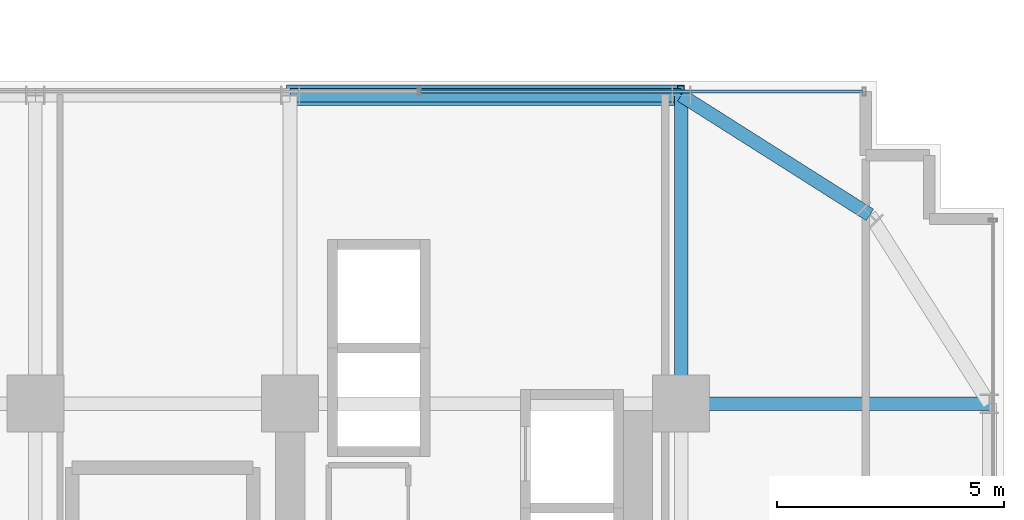
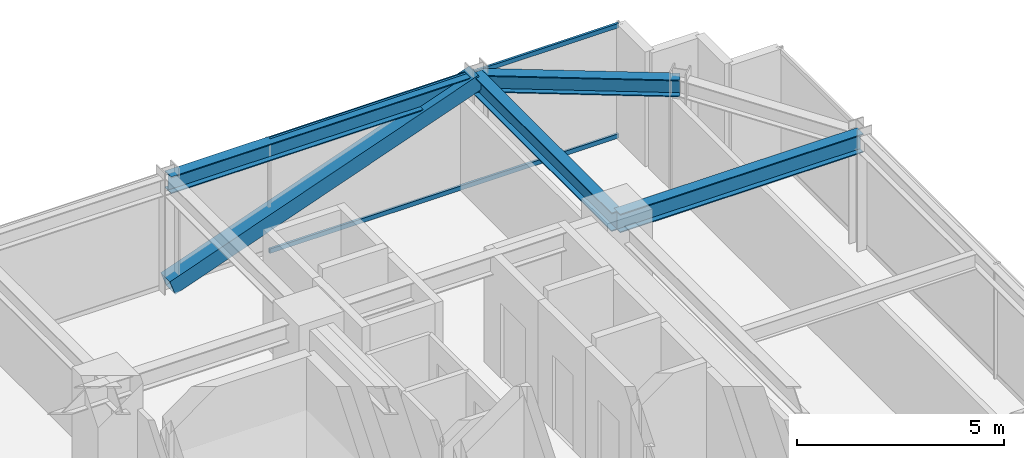
# One storey, part 24 of 35: 4 beams, 3 members, 1 element without a shape of its own.
"""IFC4 building model written with IfcOpenShell, lengths in metres."""

import ifcopenshell
import ifcopenshell.guid

model = None  # the IFC model being written
_history = None  # IfcOwnerHistory: only IFC2X3 demands one
_inside = {}  # id of a spatial element -> (the spatial element, [elements in it])
_under = {}  # id of a project, library or spatial element -> (it, [spatial elements below it])
_declared = {}  # id of a project -> (the project, [libraries it declares])
_typed = {}  # id of a type object -> (the type object, [elements of that type])
_made_of = {}  # id of a material, layer set ... -> (it, [elements and type objects made of it])


def new_model(schema):
    """Start an empty IFC model of exactly this schema.

    Asked for "IFC4X3", IfcOpenShell would pick the latest addendum, in which some entities
    have other attributes; the version numbers below select the first issue.
    IFC2X3 requires an IfcOwnerHistory on every rooted entity: one is made here for all.
    """
    global model, _history
    if schema == "IFC4X3":
        model = ifcopenshell.file(schema_version=(4, 3, 0, 0))
    else:
        model = ifcopenshell.file(schema=schema)
    _inside.clear()
    _under.clear()
    _declared.clear()
    _typed.clear()
    _made_of.clear()
    _history = None
    if model.schema == "IFC2X3":
        org = make("IfcOrganization", Name="unknown")
        user = make(
            "IfcPersonAndOrganization",
            ThePerson=make("IfcPerson", FamilyName="unknown"),
            TheOrganization=org,
        )
        app = make(
            "IfcApplication",
            ApplicationDeveloper=org,
            Version="unknown",
            ApplicationFullName="unknown",
            ApplicationIdentifier="unknown",
        )
        _history = make(
            "IfcOwnerHistory",
            OwningUser=user,
            OwningApplication=app,
            ChangeAction="ADDED",
            CreationDate=0,
        )
    return model


def make(cls, **values):
    """One entity of the class cls with the attributes given. An attribute that is None is left unset."""
    return model.create_entity(
        cls, **{name: value for name, value in values.items() if value is not None}
    )


def rooted(cls, **values):
    """An entity with a GlobalId (a new one), such as an element, a storey or a relation."""
    return make(cls, GlobalId=ifcopenshell.guid.new(), OwnerHistory=_history, **values)


def si_unit(unit_type, name, prefix=None):
    """IfcSIUnit, for example si_unit("LENGTHUNIT", "METRE", prefix="MILLI")."""
    return make("IfcSIUnit", UnitType=unit_type, Prefix=prefix, Name=name)


def assignment(units):
    """IfcUnitAssignment: the units of a project."""
    return None if units is None else make("IfcUnitAssignment", Units=units)


def point(xyz):
    """IfcCartesianPoint."""
    return None if xyz is None else make("IfcCartesianPoint", Coordinates=xyz)


def direction(xyz):
    """IfcDirection."""
    return None if xyz is None else make("IfcDirection", DirectionRatios=xyz)


def frame(location, z_axis=None, x_axis=None):
    """IfcAxis2Placement3D, a coordinate frame: its origin and axes. An axis left out is left unset."""
    return make(
        "IfcAxis2Placement3D",
        Location=point(location),
        Axis=direction(z_axis),
        RefDirection=direction(x_axis),
    )


def frame_2d(location, x_axis=None):
    """IfcAxis2Placement2D, a coordinate frame in the plane: its origin and x axis."""
    return make(
        "IfcAxis2Placement2D", Location=point(location), RefDirection=direction(x_axis)
    )


def origin():
    """The frame at (0, 0, 0) with its axes left unset."""
    return frame((0.0, 0.0, 0.0))


def origin_2d():
    """The frame at (0, 0) in the plane with its x axis left unset."""
    return frame_2d((0.0, 0.0))


def place(relative_to, where):
    """IfcLocalPlacement: puts the frame where relative to a parent placement (None: the world)."""
    return make(
        "IfcLocalPlacement", PlacementRelTo=relative_to, RelativePlacement=where
    )


def context(
    kind, dimensions, precision=None, world=None, true_north=None, identifier=None
):
    """IfcGeometricRepresentationContext, for example the 3D "Model" context."""
    return make(
        "IfcGeometricRepresentationContext",
        ContextIdentifier=identifier,
        ContextType=kind,
        CoordinateSpaceDimension=dimensions,
        Precision=precision,
        WorldCoordinateSystem=world,
        TrueNorth=true_north,
    )


def subcontext(parent, identifier, kind, view, scale=None):
    """IfcGeometricRepresentationSubContext, for example "Body" below "Model"."""
    return make(
        "IfcGeometricRepresentationSubContext",
        ContextIdentifier=identifier,
        ContextType=kind,
        ParentContext=parent,
        TargetScale=scale,
        TargetView=view,
    )


def project(units=None, contexts=None):
    """IfcProject with its units and contexts."""
    return rooted(
        "IfcProject",
        Name="project",
        RepresentationContexts=contexts,
        UnitsInContext=assignment(units),
    )


def spatial(cls, under=None, at=None, **own):
    """A site, building, storey or space (cls), placed at a placement, below another one or the project."""
    s = rooted(cls, ObjectPlacement=at, **own)
    if under is not None:
        _under.setdefault(under.id(), (under, []))[1].append(s)
    return s


def profile(cls, at=None, kind="AREA", **sizes):
    """A parametric profile (cls). Its sizes go by their IFC names, for example OverallWidth=200.0."""
    return make(cls, ProfileType=kind, Position=at, **sizes)


def hollow_rectangle(**sizes):
    """IfcRectangleHollowProfileDef."""
    return profile("IfcRectangleHollowProfileDef", **sizes)


def i_section(**sizes):
    """IfcIShapeProfileDef."""
    return profile("IfcIShapeProfileDef", **sizes)


def extrude(swept, where, along, depth):
    """IfcExtrudedAreaSolid: the profile swept, set in the frame where, extruded along a direction by depth."""
    return make(
        "IfcExtrudedAreaSolid",
        SweptArea=swept,
        Position=where,
        ExtrudedDirection=direction(along),
        Depth=depth,
    )


def shape(context_of_items, identifier, shape_type, items):
    """IfcShapeRepresentation: the items that make up one representation, for example the "Body"."""
    return make(
        "IfcShapeRepresentation",
        ContextOfItems=context_of_items,
        RepresentationIdentifier=identifier,
        RepresentationType=shape_type,
        Items=items,
    )


def source(mapping_origin, context_of_items, identifier, shape_type, items):
    """IfcRepresentationMap: a shape defined once, which mapped items show again and again."""
    return make(
        "IfcRepresentationMap",
        MappingOrigin=mapping_origin,
        MappedRepresentation=shape(context_of_items, identifier, shape_type, items),
    )


def transform(
    local_origin,
    x_axis=None,
    y_axis=None,
    z_axis=None,
    scale=None,
    scale2=None,
    scale3=None,
    uniform=True,
):
    """IfcCartesianTransformationOperator3D, or its non-uniform kind. x_axis, y_axis, z_axis: its Axis1, 2, 3."""
    if uniform:
        return make(
            "IfcCartesianTransformationOperator3D",
            Axis1=direction(x_axis),
            Axis2=direction(y_axis),
            LocalOrigin=point(local_origin),
            Scale=scale,
            Axis3=direction(z_axis),
        )
    return make(
        "IfcCartesianTransformationOperator3DnonUniform",
        Axis1=direction(x_axis),
        Axis2=direction(y_axis),
        LocalOrigin=point(local_origin),
        Scale=scale,
        Axis3=direction(z_axis),
        Scale2=scale2,
        Scale3=scale3,
    )


def mapped(mapping_source, mapping_target):
    """IfcMappedItem: shows the shape of a source again, moved by a transform."""
    return make(
        "IfcMappedItem", MappingSource=mapping_source, MappingTarget=mapping_target
    )


def material(Name=None, Category=None):
    """IfcMaterial."""
    return make("IfcMaterial", Name=Name, Category=Category)


def material_profile(
    of_material, cross_section, Name=None, Category=None, Priority=None
):
    """IfcMaterialProfile: a cross section and its material."""
    return make(
        "IfcMaterialProfile",
        Name=Name,
        Material=of_material,
        Profile=cross_section,
        Priority=Priority,
        Category=Category,
    )


def profile_set(profiles, Name=None, composite=None):
    """IfcMaterialProfileSet."""
    return make(
        "IfcMaterialProfileSet",
        Name=Name,
        MaterialProfiles=profiles,
        CompositeProfile=composite,
    )


def made_of(thing, what):
    """Note that an element or type object is made of a material, layer set ...; save() writes the relation."""
    if what is not None:
        _made_of.setdefault(what.id(), (what, []))[1].append(thing)
    return thing


def type_object(cls, material=None, **own):
    """A type object (cls), such as IfcWallType, which elements share."""
    return made_of(rooted(cls, **own), material)


def element(
    cls,
    number,
    at=None,
    inside=None,
    cuts=None,
    type_object=None,
    material=None,
    context=None,
    identifier="Body",
    shape_type=None,
    held_by="IfcProductDefinitionShape",
    body=None,
    shapes=None,
    **own,
):
    """One element of the class cls, such as IfcWall. Its Tag is "e" and its number.

    at: its placement. inside: the storey or other place that contains it. cuts: it is an
    opening in that element (IfcRelVoidsElement). A single representation is given by context,
    identifier, shape_type and body (its items); several are given by shapes. held_by: the class
    of the entity that holds the representations. save() writes the other relations.
    """
    e = rooted(cls, Tag="e%d" % number, ObjectPlacement=at, **own)
    if body is not None:
        shapes = [shape(context, identifier, shape_type, body)]
    if shapes is not None:
        e.Representation = make(held_by, Representations=shapes)
    if inside is not None:
        _inside.setdefault(inside.id(), (inside, []))[1].append(e)
    if cuts is not None:
        rooted(
            "IfcRelVoidsElement", RelatingBuildingElement=cuts, RelatedOpeningElement=e
        )
    if type_object is not None:
        _typed.setdefault(type_object.id(), (type_object, []))[1].append(e)
    return made_of(e, material)


def aggregate(whole, parts):
    """IfcRelAggregates: a whole, such as a stair, and the parts it consists of."""
    return rooted("IfcRelAggregates", RelatingObject=whole, RelatedObjects=parts)


def save(model, path):
    """Write the relations noted so far, then the file.

    IfcRelAggregates (storeys below a building ...), IfcRelContainedInSpatialStructure (elements
    in a storey), IfcRelDefinesByType, IfcRelAssociatesMaterial and IfcRelDeclares: one each for
    every whole, place, type object, material and project.
    """
    for whole, parts in _under.values():
        aggregate(whole, parts)
    for where, things in _inside.values():
        rooted(
            "IfcRelContainedInSpatialStructure",
            RelatedElements=things,
            RelatingStructure=where,
        )
    for kind, things in _typed.values():
        rooted("IfcRelDefinesByType", RelatedObjects=things, RelatingType=kind)
    for what, things in _made_of.values():
        rooted("IfcRelAssociatesMaterial", RelatedObjects=things, RelatingMaterial=what)
    for by, libraries in _declared.values():
        rooted("IfcRelDeclares", RelatingContext=by, RelatedDefinitions=libraries)
    model.write(path)


model = new_model("IFC4")

# Units and contexts
model_context = context("Model", 3, precision=1e-05, world=origin(), true_north=direction((0.0, 1.0)))
body_context = subcontext(model_context, "Body", "Model", "MODEL_VIEW")
ifc_project = project(units=[si_unit("LENGTHUNIT", "METRE"), si_unit("AREAUNIT", "SQUARE_METRE"), si_unit("VOLUMEUNIT", "CUBIC_METRE"), si_unit("PLANEANGLEUNIT", "RADIAN"), si_unit("MASSUNIT", "GRAM", prefix="KILO")], contexts=[model_context])

# Site, building, storey
site_placement = place(None, origin())
site = spatial("IfcSite", under=ifc_project, at=site_placement, CompositionType="ELEMENT")
building_placement = place(site_placement, origin())
building = spatial("IfcBuilding", under=site, at=building_placement, Name="Nahalor Promenade Grand Hotel", CompositionType="ELEMENT")
storey_placement = place(building_placement, frame((0.0, 0.0, 106.550048828125)))
storey = spatial("IfcBuildingStorey", under=building, at=storey_placement, Name="L26", CompositionType="ELEMENT", Elevation=106.550048828125)

# Beams
ifc_material_1 = material(Name="Steel S355JR", Category="steel")
ifc_material_profile_1 = material_profile(ifc_material_1, i_section(OverallWidth=0.3, OverallDepth=0.5, WebThickness=0.0145, FlangeThickness=0.028, at=origin_2d()), Name="HEB 500")
ifc_profile_set_1 = profile_set([ifc_material_profile_1], Name="Steel S355JR")
beam_type_1 = type_object("IfcBeamType", Name="Beam-Spandrel-HEB500", PredefinedType="SPANDREL", material=ifc_profile_set_1)
shared_shape_1 = source(origin(), body_context, "Body", "SweptSolid", [
    extrude(i_section(OverallWidth=0.3, OverallDepth=0.5, WebThickness=0.0145, FlangeThickness=0.028, at=origin_2d()), origin(), (0.0, 0.0, 1.0), 8.60009765625),
])
beam_1_placement = place(storey_placement, frame((8.39990234375, 23.780029296875, 3.1298828125), z_axis=(1.0, 0.0, 0.0), x_axis=(0.0, 1.0, 0.0)))
element("IfcBeam", 1, at=beam_1_placement, inside=storey, type_object=beam_type_1, Name="BM-L26-SP-N-4", PredefinedType="SPANDREL", context=body_context, shape_type="MappedRepresentation", body=[
    mapped(shared_shape_1, transform((0.0, 0.0, 0.0), scale=1.0)),
])
shared_shape_2 = source(origin(), body_context, "Body", "SweptSolid", [
    extrude(i_section(OverallWidth=0.3, OverallDepth=0.5, WebThickness=0.0145, FlangeThickness=0.028, at=origin_2d()), origin(), (0.0, 0.0, 1.0), 4.9130859375),
])
beam_2_placement = place(storey_placement, frame((17.0, 23.780029296875, 3.1298828125), z_axis=(0.844648325505, -0.535321591403, 0.0), x_axis=(0.535321591403, 0.844648325505, 0.0)))
element("IfcBeam", 2, at=beam_2_placement, inside=storey, type_object=beam_type_1, Name="BM-L26-SPC-NE-1", PredefinedType="SPANDREL", context=body_context, shape_type="MappedRepresentation", body=[
    mapped(shared_shape_2, transform((0.0, 0.0, 0.0), scale=1.0)),
])
ifc_material_profile_2 = material_profile(ifc_material_1, i_section(OverallWidth=0.3, OverallDepth=0.55, WebThickness=0.015, FlangeThickness=0.029, at=origin_2d()), Name="HEB 550")
ifc_profile_set_2 = profile_set([ifc_material_profile_2], Name="Steel S355JR")
beam_type_2 = type_object("IfcBeamType", Name="Beam-Girder-HEB550", PredefinedType="BEAM", material=ifc_profile_set_2)
shared_shape_3 = source(origin(), body_context, "Body", "SweptSolid", [
    extrude(i_section(OverallWidth=0.3, OverallDepth=0.55, WebThickness=0.015, FlangeThickness=0.029, at=origin_2d()), origin(), (0.0, 0.0, 1.0), 6.780029296875),
])
for number, where, z_axis, x_axis, name in (
    (3, (17.0, 17.0, 3.10498046875), (1.0, 0.0, 0.0), (0.0, 1.0, 0.0), "BM-L26-GX-3-6"),
    (4, (17.0, 17.0, 3.10498046875), (0.0, 1.0, 0.0), (-1.0, 0.0, 0.0), "BM-L26-GY-5-4"),
):
    element("IfcBeam", number, at=place(storey_placement, frame(where, z_axis=z_axis, x_axis=x_axis)), inside=storey, type_object=beam_type_2, Name=name, PredefinedType="BEAM", context=body_context, shape_type="MappedRepresentation", body=[
        mapped(shared_shape_3, transform((0.0, 0.0, 0.0), scale=1.0)),
    ])

# Member
ifc_material_2 = material(Name="Steel S355J2", Category="steel")
ifc_material_profile_3 = material_profile(ifc_material_2, hollow_rectangle(XDim=0.45, YDim=0.45, WallThickness=0.025, at=origin_2d()), Name="SHS 450x450x25")
ifc_profile_set_3 = profile_set([ifc_material_profile_3], Name="Steel S355J2")
member_type_1 = type_object("IfcMemberType", Name="Mem-ExoBrace-SHS450", PredefinedType="BRACE", material=ifc_profile_set_3)
shared_shape_4 = source(origin(), body_context, "Body", "SweptSolid", [
    extrude(hollow_rectangle(XDim=0.45, YDim=0.45, WallThickness=0.025, at=origin_2d()), origin(), (0.0, 0.0, 1.0), 9.135009765625),
])
member_1_placement = place(storey_placement, frame((8.39990234375, 23.780029296875, 0.14990234375), z_axis=(0.941442840152, 0.0, 0.337172624521), x_axis=(0.0, 1.0, 0.0)))
element("IfcMember", 5, at=member_1_placement, inside=storey, type_object=member_type_1, Name="EXO-L26-N-1", PredefinedType="BRACE", context=body_context, shape_type="MappedRepresentation", body=[
    mapped(shared_shape_4, transform((0.0, 0.0, 0.0), scale=1.0)),
])

# Curtain wall, members
ifc_material_3 = material(Name="Anodised Bronze Aluminium EN AW-6063 T6", Category="aluminium")
curtain_wall_type = type_object("IfcCurtainWallType", Name="CW2 Typical Hotel Flush Bronze Unitised Curtain Wall", PredefinedType="USERDEFINED", material=ifc_material_3)
curtain_wall_placement = place(storey_placement, origin())
curtain_wall = element("IfcCurtainWall", 6, at=curtain_wall_placement, inside=storey, type_object=curtain_wall_type, Name="L26 Curtain Wall CW-L26-N-3", ObjectType="UNITISED_CURTAIN_WALL", PredefinedType="USERDEFINED")
ifc_material_profile_4 = material_profile(ifc_material_3, hollow_rectangle(XDim=0.065, YDim=0.13, WallThickness=0.004, at=origin_2d()), Name="CWT 65x130x4")
ifc_profile_set_4 = profile_set([ifc_material_profile_4], Name="Anodised Bronze Aluminium EN AW-6063 T6")
member_type_2 = type_object("IfcMemberType", Name="CWT2 Typical Bronze Transom 65x130", PredefinedType="USERDEFINED", material=ifc_profile_set_4)
shared_shape_5 = source(origin(), body_context, "Body", "SweptSolid", [
    extrude(hollow_rectangle(XDim=0.065, YDim=0.13, WallThickness=0.004, at=origin_2d()), origin(), (0.0, 0.0, 1.0), 9.72265625),
])
member_2_placement = place(storey_placement, frame((11.2724609375, 23.860107421875, 0.06494140625), z_axis=(1.0, 0.0, 0.0), x_axis=(0.0, 1.0, 0.0)))
member_2 = element("IfcMember", 7, at=member_2_placement, type_object=member_type_2, Name="CW-L26-N-3 Transom 2-0", ObjectType="TRANSOM", PredefinedType="USERDEFINED", context=body_context, shape_type="MappedRepresentation", body=[
    mapped(shared_shape_5, transform((0.0, 0.0, 0.0), scale=1.0)),
])
member_3_placement = place(storey_placement, frame((11.2724609375, 23.860107421875, 3.31494140625), z_axis=(1.0, 0.0, 0.0), x_axis=(0.0, 1.0, 0.0)))
member_3 = element("IfcMember", 8, at=member_3_placement, type_object=member_type_2, Name="CW-L26-N-3 Transom 2-1", ObjectType="TRANSOM", PredefinedType="USERDEFINED", context=body_context, shape_type="MappedRepresentation", body=[
    mapped(shared_shape_5, transform((0.0, 0.0, 0.0), scale=1.0)),
])
aggregate(curtain_wall, [member_2, member_3])

save(model, "model.ifc")
